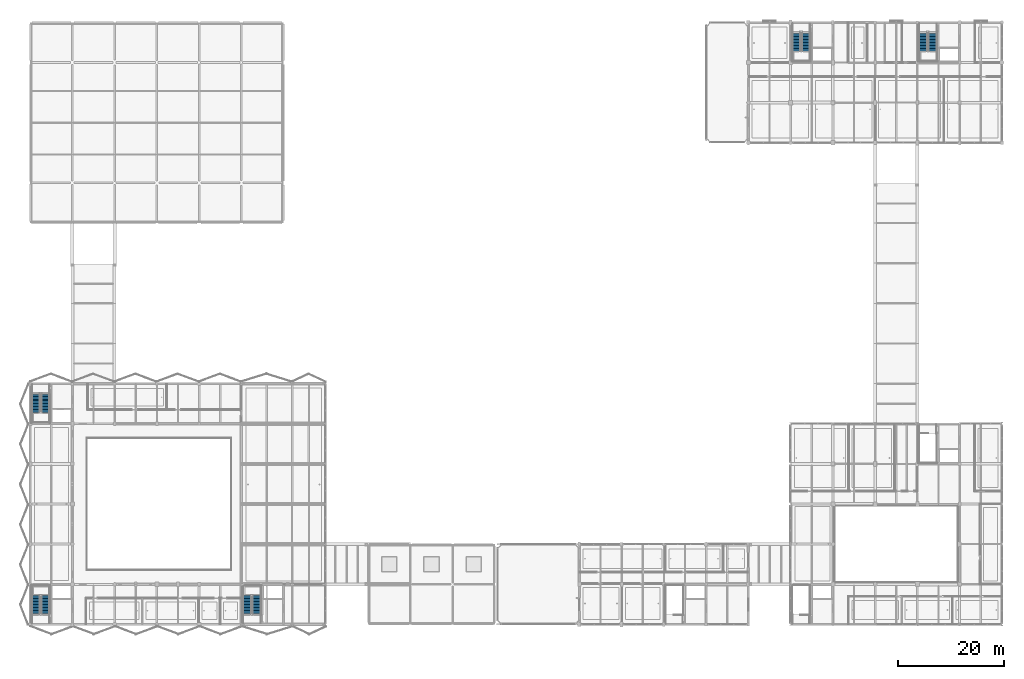
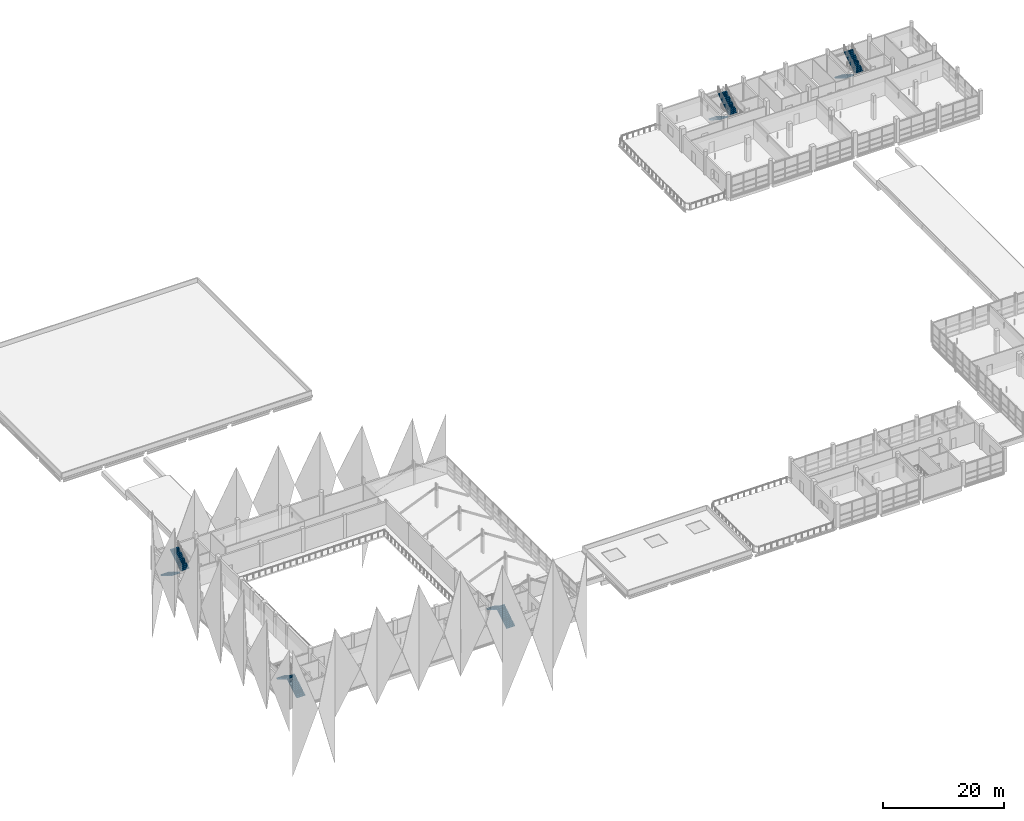
# One storey, part 77 of 107: 10 stair flights, 5 elements without a shape of their own.
"""IFC4 building model written with IfcOpenShell, lengths in metres."""

from ifc_helpers import new_model, si_unit, direction, frame, origin, place, context, subcontext, project, spatial, polyline, outline, extrude, material, type_object, element, aggregate, save


model = new_model("IFC4")

# Units and contexts
model_context = context("Model", 3, precision=1e-05, world=origin(), true_north=direction((0.0, 1.0)))
body_context = subcontext(model_context, "Body", "Model", "MODEL_VIEW")
ifc_project = project(units=[si_unit("LENGTHUNIT", "METRE"), si_unit("AREAUNIT", "SQUARE_METRE"), si_unit("VOLUMEUNIT", "CUBIC_METRE"), si_unit("PLANEANGLEUNIT", "RADIAN"), si_unit("MASSUNIT", "GRAM", prefix="KILO")], contexts=[model_context])

# Site, building, storey
site_placement = place(None, origin())
site = spatial("IfcSite", under=ifc_project, at=site_placement, CompositionType="ELEMENT")
building_placement = place(site_placement, origin())
building = spatial("IfcBuilding", under=site, at=building_placement, Name="Khelvaren Railside Concert Hall", CompositionType="ELEMENT")
storey_placement = place(building_placement, frame((0.0, 0.0, 15.0)))
storey = spatial("IfcBuildingStorey", under=building, at=storey_placement, Name="L03", CompositionType="ELEMENT", Elevation=15.0)

# Stair, stair flights
ifc_material = material(Name="Concrete C40/50", Category="concrete")
stair_type = type_object("IfcStairType", Name="ST52", PredefinedType="HALF_TURN_STAIR", material=ifc_material)
stair_1_placement = place(storey_placement, origin())
stair_1 = element("IfcStair", 1, at=stair_1_placement, inside=storey, type_object=stair_type, Name="L03 Core Exit Stair ST-01", PredefinedType="HALF_TURN_STAIR")
stair_flight_type = type_object("IfcStairFlightType", Name="STF21", PredefinedType="STRAIGHT", material=ifc_material)
stair_flight_1_placement = place(storey_placement, frame((2.89990234375, 1.840087890625, 0.0), z_axis=(0.0, 0.0, 1.0), x_axis=(0.0, 1.0, 0.0)))
stair_flight_1 = element("IfcStairFlight", 2, at=stair_flight_1_placement, type_object=stair_flight_type, Name="ST-01 flight 1", NumberOfRisers=14, NumberOfTreads=13, PredefinedType="STRAIGHT", RiserHeight=0.171428571, TreadLength=0.28, context=body_context, shape_type="SweptSolid", body=[
    extrude(outline(polyline([(0.0, 0.0), (0.0, 0.17138671875), (0.280029296875, 0.17138671875), (0.280029296875, 0.3427734375), (0.56005859375, 0.3427734375), (0.56005859375, 0.514404296875), (0.840087890625, 0.514404296875), (0.840087890625, 0.685791015625), (1.1201171875, 0.685791015625), (1.1201171875, 0.857177734375), (1.39990234375, 0.857177734375), (1.39990234375, 1.028564453125), (1.679931640625, 1.028564453125), (1.679931640625, 1.199951171875), (1.9599609375, 1.199951171875), (1.9599609375, 1.371337890625), (2.239990234375, 1.371337890625), (2.239990234375, 1.54296875), (2.52001953125, 1.54296875), (2.52001953125, 1.71435546875), (2.800048828125, 1.71435546875), (2.800048828125, 1.8857421875), (3.080078125, 1.8857421875), (3.080078125, 2.05712890625), (3.360107421875, 2.05712890625), (3.360107421875, 2.228515625), (3.639892578125, 2.228515625), (3.639892578125, 2.39990234375), (3.639892578125, 2.052734375), (0.287109375, 0.0), (0.0, 0.0)])), frame((0.0, 0.800048828125, 0.0), z_axis=(0.0, -1.0, 0.0), x_axis=(1.0, 0.0, 0.0)), (0.0, 0.0, 1.0), 1.60009765625),
])
stair_flight_2_placement = place(storey_placement, frame((1.10009765625, 5.47998046875, 2.39990234375), z_axis=(0.0, 0.0, 1.0), x_axis=(0.0, -1.0, 0.0)))
stair_flight_2 = element("IfcStairFlight", 3, at=stair_flight_2_placement, type_object=stair_flight_type, Name="ST-01 flight 2", NumberOfRisers=14, NumberOfTreads=13, PredefinedType="STRAIGHT", RiserHeight=0.171428571, TreadLength=0.28, context=body_context, shape_type="SweptSolid", body=[
    extrude(outline(polyline([(0.0, 0.0), (0.0, 0.17138671875), (0.280029296875, 0.17138671875), (0.280029296875, 0.3427734375), (0.56005859375, 0.3427734375), (0.56005859375, 0.514404296875), (0.840087890625, 0.514404296875), (0.840087890625, 0.685791015625), (1.1201171875, 0.685791015625), (1.1201171875, 0.857177734375), (1.39990234375, 0.857177734375), (1.39990234375, 1.028564453125), (1.679931640625, 1.028564453125), (1.679931640625, 1.199951171875), (1.9599609375, 1.199951171875), (1.9599609375, 1.371337890625), (2.239990234375, 1.371337890625), (2.239990234375, 1.54296875), (2.52001953125, 1.54296875), (2.52001953125, 1.71435546875), (2.800048828125, 1.71435546875), (2.800048828125, 1.8857421875), (3.080078125, 1.8857421875), (3.080078125, 2.05712890625), (3.360107421875, 2.05712890625), (3.360107421875, 2.228515625), (3.639892578125, 2.228515625), (3.639892578125, 2.39990234375), (3.639892578125, 2.052734375), (0.287109375, 0.0), (0.0, 0.0)])), frame((0.0, 0.800048828125, 0.0), z_axis=(0.0, -1.0, 0.0), x_axis=(1.0, 0.0, 0.0)), (0.0, 0.0, 1.0), 1.60009765625),
])
aggregate(stair_1, [stair_flight_1, stair_flight_2])

stair_2_placement = place(storey_placement, origin())
stair_2 = element("IfcStair", 4, at=stair_2_placement, inside=storey, type_object=stair_type, Name="L03 Core Exit Stair ST-02", PredefinedType="HALF_TURN_STAIR")
stair_flight_3_placement = place(storey_placement, frame((42.89990234375, 1.840087890625, 0.0), z_axis=(0.0, 0.0, 1.0), x_axis=(0.0, 1.0, 0.0)))
stair_flight_3 = element("IfcStairFlight", 5, at=stair_flight_3_placement, type_object=stair_flight_type, Name="ST-02 flight 1", NumberOfRisers=14, NumberOfTreads=13, PredefinedType="STRAIGHT", RiserHeight=0.171428571, TreadLength=0.28, context=body_context, shape_type="SweptSolid", body=[
    extrude(outline(polyline([(0.0, 0.0), (0.0, 0.17138671875), (0.280029296875, 0.17138671875), (0.280029296875, 0.3427734375), (0.56005859375, 0.3427734375), (0.56005859375, 0.514404296875), (0.840087890625, 0.514404296875), (0.840087890625, 0.685791015625), (1.1201171875, 0.685791015625), (1.1201171875, 0.857177734375), (1.39990234375, 0.857177734375), (1.39990234375, 1.028564453125), (1.679931640625, 1.028564453125), (1.679931640625, 1.199951171875), (1.9599609375, 1.199951171875), (1.9599609375, 1.371337890625), (2.239990234375, 1.371337890625), (2.239990234375, 1.54296875), (2.52001953125, 1.54296875), (2.52001953125, 1.71435546875), (2.800048828125, 1.71435546875), (2.800048828125, 1.8857421875), (3.080078125, 1.8857421875), (3.080078125, 2.05712890625), (3.360107421875, 2.05712890625), (3.360107421875, 2.228515625), (3.639892578125, 2.228515625), (3.639892578125, 2.39990234375), (3.639892578125, 2.052734375), (0.287109375, 0.0), (0.0, 0.0)])), frame((0.0, 0.800048828125, 0.0), z_axis=(0.0, -1.0, 0.0), x_axis=(1.0, 0.0, 0.0)), (0.0, 0.0, 1.0), 1.60009765625),
])
stair_flight_4_placement = place(storey_placement, frame((41.10009765625, 5.47998046875, 2.39990234375), z_axis=(0.0, 0.0, 1.0), x_axis=(0.0, -1.0, 0.0)))
stair_flight_4 = element("IfcStairFlight", 6, at=stair_flight_4_placement, type_object=stair_flight_type, Name="ST-02 flight 2", NumberOfRisers=14, NumberOfTreads=13, PredefinedType="STRAIGHT", RiserHeight=0.171428571, TreadLength=0.28, context=body_context, shape_type="SweptSolid", body=[
    extrude(outline(polyline([(0.0, 0.0), (0.0, 0.17138671875), (0.280029296875, 0.17138671875), (0.280029296875, 0.3427734375), (0.56005859375, 0.3427734375), (0.56005859375, 0.514404296875), (0.840087890625, 0.514404296875), (0.840087890625, 0.685791015625), (1.1201171875, 0.685791015625), (1.1201171875, 0.857177734375), (1.39990234375, 0.857177734375), (1.39990234375, 1.028564453125), (1.679931640625, 1.028564453125), (1.679931640625, 1.199951171875), (1.9599609375, 1.199951171875), (1.9599609375, 1.371337890625), (2.239990234375, 1.371337890625), (2.239990234375, 1.54296875), (2.52001953125, 1.54296875), (2.52001953125, 1.71435546875), (2.800048828125, 1.71435546875), (2.800048828125, 1.8857421875), (3.080078125, 1.8857421875), (3.080078125, 2.05712890625), (3.360107421875, 2.05712890625), (3.360107421875, 2.228515625), (3.639892578125, 2.228515625), (3.639892578125, 2.39990234375), (3.639892578125, 2.052734375), (0.287109375, 0.0), (0.0, 0.0)])), frame((0.0, 0.800048828125, 0.0), z_axis=(0.0, -1.0, 0.0), x_axis=(1.0, 0.0, 0.0)), (0.0, 0.0, 1.0), 1.60009765625),
])
aggregate(stair_2, [stair_flight_3, stair_flight_4])

stair_3_placement = place(storey_placement, origin())
stair_3 = element("IfcStair", 7, at=stair_3_placement, inside=storey, type_object=stair_type, Name="L03 Core Exit Stair ST-11", PredefinedType="HALF_TURN_STAIR")
stair_flight_5_placement = place(storey_placement, frame((1.10009765625, 43.760009765625, 0.0), z_axis=(0.0, 0.0, 1.0), x_axis=(0.0, -1.0, 0.0)))
stair_flight_5 = element("IfcStairFlight", 8, at=stair_flight_5_placement, type_object=stair_flight_type, Name="ST-11 flight 1", NumberOfRisers=14, NumberOfTreads=13, PredefinedType="STRAIGHT", RiserHeight=0.171428571, TreadLength=0.28, context=body_context, shape_type="SweptSolid", body=[
    extrude(outline(polyline([(0.0, 0.0), (0.0, 0.17138671875), (0.280029296875, 0.17138671875), (0.280029296875, 0.3427734375), (0.56005859375, 0.3427734375), (0.56005859375, 0.514404296875), (0.840087890625, 0.514404296875), (0.840087890625, 0.685791015625), (1.1201171875, 0.685791015625), (1.1201171875, 0.857177734375), (1.39990234375, 0.857177734375), (1.39990234375, 1.028564453125), (1.679931640625, 1.028564453125), (1.679931640625, 1.199951171875), (1.9599609375, 1.199951171875), (1.9599609375, 1.371337890625), (2.239990234375, 1.371337890625), (2.239990234375, 1.54296875), (2.52001953125, 1.54296875), (2.52001953125, 1.71435546875), (2.800048828125, 1.71435546875), (2.800048828125, 1.8857421875), (3.080078125, 1.8857421875), (3.080078125, 2.05712890625), (3.360107421875, 2.05712890625), (3.360107421875, 2.228515625), (3.639892578125, 2.228515625), (3.639892578125, 2.39990234375), (3.639892578125, 2.052734375), (0.287109375, 0.0), (0.0, 0.0)])), frame((0.0, 0.800048828125, 0.0), z_axis=(0.0, -1.0, 0.0), x_axis=(1.0, 0.0, 0.0)), (0.0, 0.0, 1.0), 1.60009765625),
])
stair_flight_6_placement = place(storey_placement, frame((2.89990234375, 40.1201171875, 2.39990234375), z_axis=(0.0, 0.0, 1.0), x_axis=(0.0, 1.0, 0.0)))
stair_flight_6 = element("IfcStairFlight", 9, at=stair_flight_6_placement, type_object=stair_flight_type, Name="ST-11 flight 2", NumberOfRisers=14, NumberOfTreads=13, PredefinedType="STRAIGHT", RiserHeight=0.171428571, TreadLength=0.28, context=body_context, shape_type="SweptSolid", body=[
    extrude(outline(polyline([(0.0, 0.0), (0.0, 0.17138671875), (0.280029296875, 0.17138671875), (0.280029296875, 0.3427734375), (0.56005859375, 0.3427734375), (0.56005859375, 0.514404296875), (0.840087890625, 0.514404296875), (0.840087890625, 0.685791015625), (1.1201171875, 0.685791015625), (1.1201171875, 0.857177734375), (1.39990234375, 0.857177734375), (1.39990234375, 1.028564453125), (1.679931640625, 1.028564453125), (1.679931640625, 1.199951171875), (1.9599609375, 1.199951171875), (1.9599609375, 1.371337890625), (2.239990234375, 1.371337890625), (2.239990234375, 1.54296875), (2.52001953125, 1.54296875), (2.52001953125, 1.71435546875), (2.800048828125, 1.71435546875), (2.800048828125, 1.8857421875), (3.080078125, 1.8857421875), (3.080078125, 2.05712890625), (3.360107421875, 2.05712890625), (3.360107421875, 2.228515625), (3.639892578125, 2.228515625), (3.639892578125, 2.39990234375), (3.639892578125, 2.052734375), (0.287109375, 0.0), (0.0, 0.0)])), frame((0.0, 0.800048828125, 0.0), z_axis=(0.0, -1.0, 0.0), x_axis=(1.0, 0.0, 0.0)), (0.0, 0.0, 1.0), 1.60009765625),
])
aggregate(stair_3, [stair_flight_5, stair_flight_6])

stair_4_placement = place(storey_placement, origin())
stair_4 = element("IfcStair", 10, at=stair_4_placement, inside=storey, type_object=stair_type, Name="L03 Core Exit Stair ST-09", PredefinedType="HALF_TURN_STAIR")
stair_flight_7_placement = place(storey_placement, frame((145.10009765625, 112.159912109375, 0.0), z_axis=(0.0, 0.0, 1.0), x_axis=(0.0, -1.0, 0.0)))
stair_flight_7 = element("IfcStairFlight", 11, at=stair_flight_7_placement, type_object=stair_flight_type, Name="ST-09 flight 1", NumberOfRisers=14, NumberOfTreads=13, PredefinedType="STRAIGHT", RiserHeight=0.171428571, TreadLength=0.28, context=body_context, shape_type="SweptSolid", body=[
    extrude(outline(polyline([(0.0, 0.0), (0.0, 0.17138671875), (0.280029296875, 0.17138671875), (0.280029296875, 0.3427734375), (0.56005859375, 0.3427734375), (0.56005859375, 0.514404296875), (0.840087890625, 0.514404296875), (0.840087890625, 0.685791015625), (1.1201171875, 0.685791015625), (1.1201171875, 0.857177734375), (1.39990234375, 0.857177734375), (1.39990234375, 1.028564453125), (1.679931640625, 1.028564453125), (1.679931640625, 1.199951171875), (1.9599609375, 1.199951171875), (1.9599609375, 1.371337890625), (2.239990234375, 1.371337890625), (2.239990234375, 1.54296875), (2.52001953125, 1.54296875), (2.52001953125, 1.71435546875), (2.800048828125, 1.71435546875), (2.800048828125, 1.8857421875), (3.080078125, 1.8857421875), (3.080078125, 2.05712890625), (3.360107421875, 2.05712890625), (3.360107421875, 2.228515625), (3.639892578125, 2.228515625), (3.639892578125, 2.39990234375), (3.639892578125, 2.052734375), (0.287109375, 0.0), (0.0, 0.0)])), frame((0.0, 0.800048828125, 0.0), z_axis=(0.0, -1.0, 0.0), x_axis=(1.0, 0.0, 0.0)), (0.0, 0.0, 1.0), 1.60009765625),
])
stair_flight_8_placement = place(storey_placement, frame((146.89990234375, 108.52001953125, 2.39990234375), z_axis=(0.0, 0.0, 1.0), x_axis=(0.0, 1.0, 0.0)))
stair_flight_8 = element("IfcStairFlight", 12, at=stair_flight_8_placement, type_object=stair_flight_type, Name="ST-09 flight 2", NumberOfRisers=14, NumberOfTreads=13, PredefinedType="STRAIGHT", RiserHeight=0.171428571, TreadLength=0.28, context=body_context, shape_type="SweptSolid", body=[
    extrude(outline(polyline([(0.0, 0.0), (0.0, 0.17138671875), (0.280029296875, 0.17138671875), (0.280029296875, 0.3427734375), (0.56005859375, 0.3427734375), (0.56005859375, 0.514404296875), (0.840087890625, 0.514404296875), (0.840087890625, 0.685791015625), (1.1201171875, 0.685791015625), (1.1201171875, 0.857177734375), (1.39990234375, 0.857177734375), (1.39990234375, 1.028564453125), (1.679931640625, 1.028564453125), (1.679931640625, 1.199951171875), (1.9599609375, 1.199951171875), (1.9599609375, 1.371337890625), (2.239990234375, 1.371337890625), (2.239990234375, 1.54296875), (2.52001953125, 1.54296875), (2.52001953125, 1.71435546875), (2.800048828125, 1.71435546875), (2.800048828125, 1.8857421875), (3.080078125, 1.8857421875), (3.080078125, 2.05712890625), (3.360107421875, 2.05712890625), (3.360107421875, 2.228515625), (3.639892578125, 2.228515625), (3.639892578125, 2.39990234375), (3.639892578125, 2.052734375), (0.287109375, 0.0), (0.0, 0.0)])), frame((0.0, 0.800048828125, 0.0), z_axis=(0.0, -1.0, 0.0), x_axis=(1.0, 0.0, 0.0)), (0.0, 0.0, 1.0), 1.60009765625),
])
aggregate(stair_4, [stair_flight_7, stair_flight_8])

stair_5_placement = place(storey_placement, origin())
stair_5 = element("IfcStair", 13, at=stair_5_placement, inside=storey, type_object=stair_type, Name="L03 Core Exit Stair ST-10", PredefinedType="HALF_TURN_STAIR")
stair_flight_9_placement = place(storey_placement, frame((169.10009765625, 112.159912109375, 0.0), z_axis=(0.0, 0.0, 1.0), x_axis=(0.0, -1.0, 0.0)))
stair_flight_9 = element("IfcStairFlight", 14, at=stair_flight_9_placement, type_object=stair_flight_type, Name="ST-10 flight 1", NumberOfRisers=14, NumberOfTreads=13, PredefinedType="STRAIGHT", RiserHeight=0.171428571, TreadLength=0.28, context=body_context, shape_type="SweptSolid", body=[
    extrude(outline(polyline([(0.0, 0.0), (0.0, 0.17138671875), (0.280029296875, 0.17138671875), (0.280029296875, 0.3427734375), (0.56005859375, 0.3427734375), (0.56005859375, 0.514404296875), (0.840087890625, 0.514404296875), (0.840087890625, 0.685791015625), (1.1201171875, 0.685791015625), (1.1201171875, 0.857177734375), (1.39990234375, 0.857177734375), (1.39990234375, 1.028564453125), (1.679931640625, 1.028564453125), (1.679931640625, 1.199951171875), (1.9599609375, 1.199951171875), (1.9599609375, 1.371337890625), (2.239990234375, 1.371337890625), (2.239990234375, 1.54296875), (2.52001953125, 1.54296875), (2.52001953125, 1.71435546875), (2.800048828125, 1.71435546875), (2.800048828125, 1.8857421875), (3.080078125, 1.8857421875), (3.080078125, 2.05712890625), (3.360107421875, 2.05712890625), (3.360107421875, 2.228515625), (3.639892578125, 2.228515625), (3.639892578125, 2.39990234375), (3.639892578125, 2.052734375), (0.287109375, 0.0), (0.0, 0.0)])), frame((0.0, 0.800048828125, 0.0), z_axis=(0.0, -1.0, 0.0), x_axis=(1.0, 0.0, 0.0)), (0.0, 0.0, 1.0), 1.60009765625),
])
stair_flight_10_placement = place(storey_placement, frame((170.89990234375, 108.52001953125, 2.39990234375), z_axis=(0.0, 0.0, 1.0), x_axis=(0.0, 1.0, 0.0)))
stair_flight_10 = element("IfcStairFlight", 15, at=stair_flight_10_placement, type_object=stair_flight_type, Name="ST-10 flight 2", NumberOfRisers=14, NumberOfTreads=13, PredefinedType="STRAIGHT", RiserHeight=0.171428571, TreadLength=0.28, context=body_context, shape_type="SweptSolid", body=[
    extrude(outline(polyline([(0.0, 0.0), (0.0, 0.17138671875), (0.280029296875, 0.17138671875), (0.280029296875, 0.3427734375), (0.56005859375, 0.3427734375), (0.56005859375, 0.514404296875), (0.840087890625, 0.514404296875), (0.840087890625, 0.685791015625), (1.1201171875, 0.685791015625), (1.1201171875, 0.857177734375), (1.39990234375, 0.857177734375), (1.39990234375, 1.028564453125), (1.679931640625, 1.028564453125), (1.679931640625, 1.199951171875), (1.9599609375, 1.199951171875), (1.9599609375, 1.371337890625), (2.239990234375, 1.371337890625), (2.239990234375, 1.54296875), (2.52001953125, 1.54296875), (2.52001953125, 1.71435546875), (2.800048828125, 1.71435546875), (2.800048828125, 1.8857421875), (3.080078125, 1.8857421875), (3.080078125, 2.05712890625), (3.360107421875, 2.05712890625), (3.360107421875, 2.228515625), (3.639892578125, 2.228515625), (3.639892578125, 2.39990234375), (3.639892578125, 2.052734375), (0.287109375, 0.0), (0.0, 0.0)])), frame((0.0, 0.800048828125, 0.0), z_axis=(0.0, -1.0, 0.0), x_axis=(1.0, 0.0, 0.0)), (0.0, 0.0, 1.0), 1.60009765625),
])
aggregate(stair_5, [stair_flight_9, stair_flight_10])

save(model, "model.ifc")
